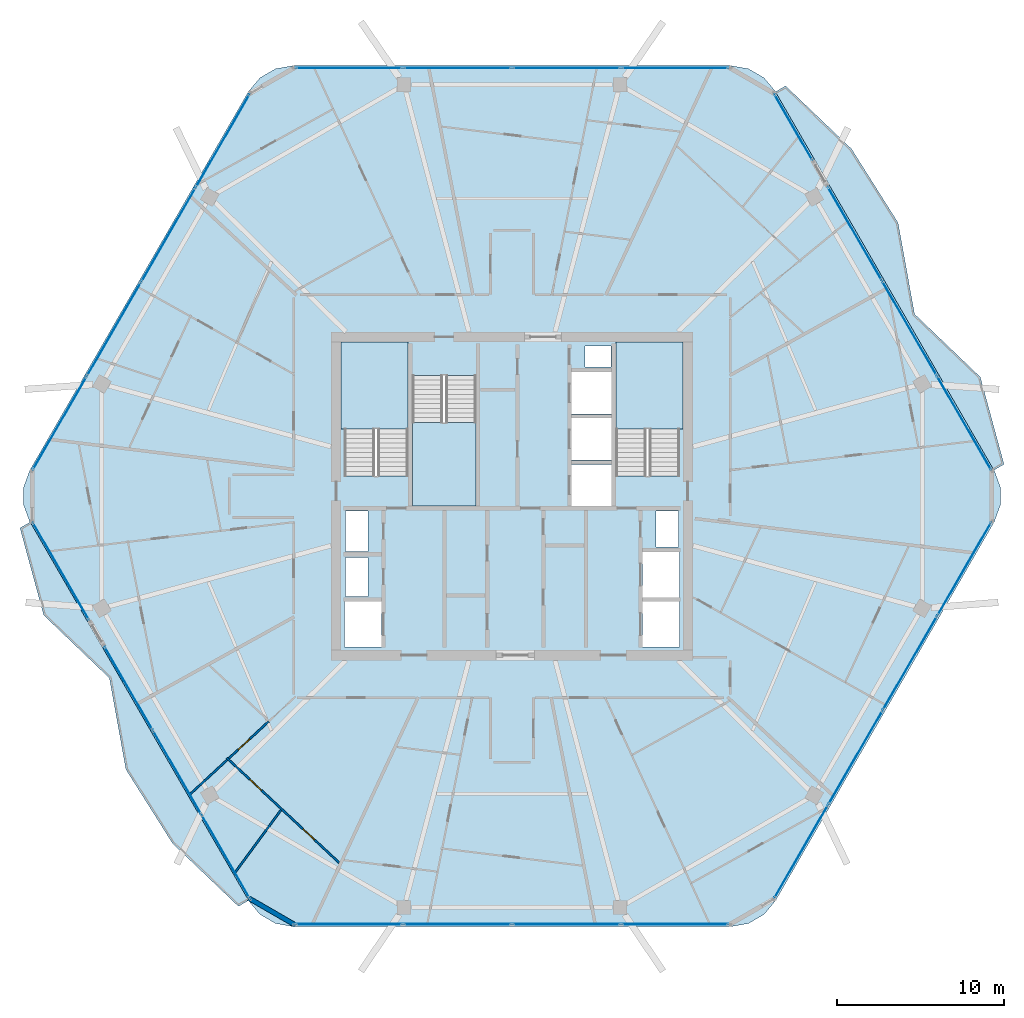
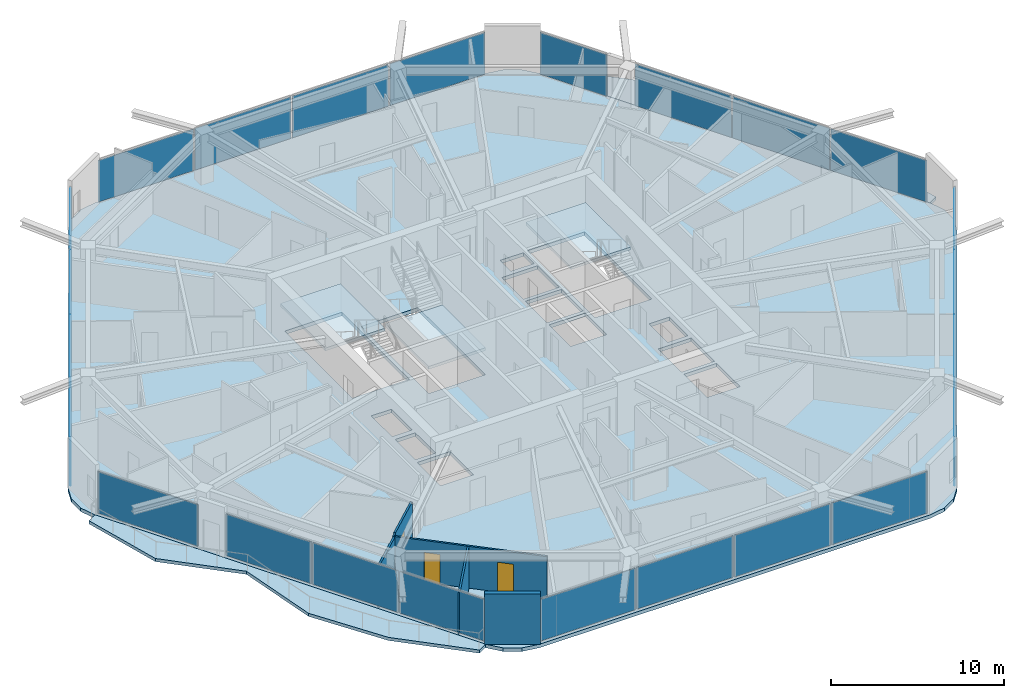
# One storey, part 17 of 26: 24 plates, 6 slabs, 5 walls, 3 doors, 3 openings, 11 elements without a shape of their own.
"""IFC4 building model written with IfcOpenShell, lengths in metres."""

from ifc_helpers import new_model, si_unit, direction, frame, frame_2d, origin, origin_2d, place, context, subcontext, project, spatial, polyline, rectangle, outline, extrude, material, layer, layer_set, type_object, element, fill, aggregate, save


model = new_model("IFC4")

# Units and contexts
model_context = context("Model", 3, precision=1e-05, world=origin(), true_north=direction((0.0, 1.0)))
body_context = subcontext(model_context, "Body", "Model", "MODEL_VIEW")
ifc_project = project(units=[si_unit("LENGTHUNIT", "METRE"), si_unit("AREAUNIT", "SQUARE_METRE"), si_unit("VOLUMEUNIT", "CUBIC_METRE"), si_unit("PLANEANGLEUNIT", "RADIAN"), si_unit("MASSUNIT", "GRAM", prefix="KILO")], contexts=[model_context])

# Site, building, storey
site_placement = place(None, origin())
site = spatial("IfcSite", under=ifc_project, at=site_placement, CompositionType="ELEMENT")
building_placement = place(site_placement, origin())
building = spatial("IfcBuilding", under=site, at=building_placement, Name="Zuhravey Tower", CompositionType="ELEMENT")
storey_placement = place(building_placement, frame((0.0, 0.0, 273.0)))
storey = spatial("IfcBuildingStorey", under=building, at=storey_placement, Name="L69", CompositionType="ELEMENT", Elevation=273.0)

# Slabs
ifc_material_1 = material(Name="Concrete C50/60", Category="concrete")
ifc_layer_1 = layer(ifc_material_1, 0.25)
ifc_layer_set_1 = layer_set([ifc_layer_1], Name="Concrete C50/60")
slab_type_1 = type_object("IfcSlabType", Name="Residential Acoustic Slab 250", PredefinedType="FLOOR", material=ifc_layer_set_1)
slab_1_placement = place(storey_placement, frame((0.0, 0.0, -0.25)))
element("IfcSlab", 1, at=slab_1_placement, inside=storey, type_object=slab_type_1, Name="L69 Floor Slab FS25", PredefinedType="FLOOR", context=body_context, shape_type="SweptSolid", body=[
    extrude(outline(polyline([(64.78515625, 30.449951171875), (65.1533203125, 31.461669921875), (65.1533203125, 32.538330078125), (64.78515625, 33.550048828125), (51.73486328125, 56.153564453125), (51.04296875, 56.978515625), (50.110595703125, 57.5166015625), (49.05029296875, 57.70361328125), (22.94970703125, 57.70361328125), (21.889404296875, 57.5166015625), (20.95703125, 56.978515625), (20.26513671875, 56.153564453125), (7.21484375, 33.550048828125), (6.8466796875, 32.538330078125), (6.8466796875, 31.461669921875), (7.21484375, 30.449951171875), (20.26513671875, 7.846435546875), (20.95703125, 7.021484375), (21.889404296875, 6.4833984375), (22.94970703125, 6.29638671875), (49.05029296875, 6.29638671875), (50.110595703125, 6.4833984375), (51.04296875, 7.021484375), (51.73486328125, 7.846435546875), (64.78515625, 30.449951171875)]), holes=[polyline([(29.800048828125, 33.20068359375), (29.800048828125, 41.0), (26.0, 41.0), (26.0, 33.20068359375), (29.800048828125, 33.20068359375)]), polyline([(46.0, 33.20068359375), (46.0, 41.0), (42.199951171875, 41.0), (42.199951171875, 33.20068359375), (46.0, 33.20068359375)]), polyline([(30.050048828125, 39.199462890625), (30.050048828125, 31.39990234375), (33.85009765625, 31.39990234375), (33.85009765625, 39.199462890625), (30.050048828125, 39.199462890625)]), polyline([(39.550048828125, 31.39990234375), (41.949951171875, 31.39990234375), (41.949951171875, 33.89990234375), (39.550048828125, 33.89990234375), (39.550048828125, 31.39990234375)]), polyline([(39.550048828125, 34.14990234375), (41.949951171875, 34.14990234375), (41.949951171875, 36.64990234375), (39.550048828125, 36.64990234375), (39.550048828125, 34.14990234375)]), polyline([(39.550048828125, 36.89990234375), (41.949951171875, 36.89990234375), (41.949951171875, 39.39990234375), (39.550048828125, 39.39990234375), (39.550048828125, 36.89990234375)]), polyline([(26.0, 23.0), (28.199951171875, 23.0), (28.199951171875, 25.699951171875), (26.0, 25.699951171875), (26.0, 23.0)]), polyline([(43.800048828125, 23.0), (46.0, 23.0), (46.0, 25.699951171875), (43.800048828125, 25.699951171875), (43.800048828125, 23.0)]), polyline([(43.800048828125, 25.949951171875), (46.0, 25.949951171875), (46.0, 28.64990234375), (43.800048828125, 28.64990234375), (43.800048828125, 25.949951171875)]), polyline([(26.050048828125, 26.0), (27.39990234375, 26.0), (27.39990234375, 28.35009765625), (26.050048828125, 28.35009765625), (26.050048828125, 26.0)]), polyline([(26.050048828125, 28.699951171875), (27.39990234375, 28.699951171875), (27.39990234375, 31.10009765625), (26.050048828125, 31.10009765625), (26.050048828125, 28.699951171875)]), polyline([(44.60009765625, 28.949951171875), (45.949951171875, 28.949951171875), (45.949951171875, 31.10009765625), (44.60009765625, 31.10009765625), (44.60009765625, 28.949951171875)]), polyline([(40.35009765625, 39.699951171875), (41.89990234375, 39.699951171875), (41.89990234375, 40.949951171875), (40.35009765625, 40.949951171875), (40.35009765625, 39.699951171875)])]), origin(), (0.0, 0.0, 1.0), 0.25),
])
ifc_material_2 = material(Name="Concrete C40/50", Category="concrete")
ifc_layer_2 = layer(ifc_material_2, 0.219970703125)
ifc_layer_set_2 = layer_set([ifc_layer_2], Name="Concrete C40/50")
slab_type_2 = type_object("IfcSlabType", Name="Sinusoidal Residential Wave Balcony 220", PredefinedType="FLOOR", material=ifc_layer_set_2)
slab_2_placement = place(storey_placement, frame((0.0, 0.0, -0.219970703125)))
element("IfcSlab", 2, at=slab_2_placement, inside=storey, type_object=slab_type_2, Name="L69 Face 4 Wave Balcony WB22", PredefinedType="FLOOR", context=body_context, shape_type="SweptSolid", body=[
    extrude(outline(polyline([(7.232177734375, 30.449951171875), (20.273681640625, 7.861328125), (19.66748046875, 7.511474609375), (15.73583984375, 11.26513671875), (12.950927734375, 15.680908203125), (11.96630859375, 21.135986328125), (8.04150390625, 24.8935546875), (6.6259765625, 30.10009765625), (7.232177734375, 30.449951171875)])), origin(), (0.0, 0.0, 1.0), 0.219970703125),
])
slab_3_placement = place(storey_placement, frame((0.0, 0.0, -0.219970703125)))
element("IfcSlab", 3, at=slab_3_placement, inside=storey, type_object=slab_type_2, Name="L69 Face 1 Wave Balcony WB22", PredefinedType="FLOOR", context=body_context, shape_type="SweptSolid", body=[
    extrude(outline(polyline([(64.767822265625, 33.550048828125), (51.726318359375, 56.138671875), (52.33251953125, 56.488525390625), (56.26416015625, 52.73486328125), (59.049072265625, 48.319091796875), (60.03369140625, 42.864013671875), (63.95849609375, 39.1064453125), (65.3740234375, 33.89990234375), (64.767822265625, 33.550048828125)])), origin(), (0.0, 0.0, 1.0), 0.219970703125),
])

# Stair, slab
stair_type = type_object("IfcStairType", Name="Housing Storey Stair Assembly 3800", PredefinedType="HALF_TURN_STAIR", material=ifc_material_2)
stair_1_placement = place(storey_placement, origin())
stair_1 = element("IfcStair", 4, at=stair_1_placement, inside=storey, type_object=stair_type, Name="L69 Core Exit Stair ST1", PredefinedType="HALF_TURN_STAIR")
ifc_layer_3 = layer(ifc_material_2, 0.199951171875)
ifc_layer_set_3 = layer_set([ifc_layer_3], Name="Concrete C40/50")
slab_type_3 = type_object("IfcSlabType", Name="Stair Landing Slab 200", PredefinedType="LANDING", material=ifc_layer_set_3)
slab_4_placement = place(storey_placement, frame((0.0, 0.0, 1.699951171875)))
slab_4 = element("IfcSlab", 5, at=slab_4_placement, type_object=slab_type_3, Name="ST1 landing 1", PredefinedType="LANDING", context=body_context, shape_type="SweptSolid", body=[
    extrude(outline(polyline([(29.800048828125, 36.0), (29.800048828125, 41.197998046875), (25.802001953125, 41.197998046875), (25.802001953125, 36.0), (29.800048828125, 36.0)])), origin(), (0.0, 0.0, 1.0), 0.199951171875),
])
aggregate(stair_1, [slab_4])

stair_2_placement = place(storey_placement, origin())
stair_2 = element("IfcStair", 6, at=stair_2_placement, inside=storey, type_object=stair_type, Name="L69 Core Exit Stair ST2", PredefinedType="HALF_TURN_STAIR")
slab_5_placement = place(storey_placement, frame((0.0, 0.0, 1.699951171875)))
slab_5 = element("IfcSlab", 7, at=slab_5_placement, type_object=slab_type_3, Name="ST2 landing 1", PredefinedType="LANDING", context=body_context, shape_type="SweptSolid", body=[
    extrude(outline(polyline([(46.197998046875, 36.0), (46.197998046875, 41.197998046875), (42.199951171875, 41.197998046875), (42.199951171875, 36.0), (46.197998046875, 36.0)])), origin(), (0.0, 0.0, 1.0), 0.199951171875),
])
aggregate(stair_2, [slab_5])

stair_3_placement = place(storey_placement, origin())
stair_3 = element("IfcStair", 8, at=stair_3_placement, inside=storey, type_object=stair_type, Name="L69 Core Exit Stair ST3", PredefinedType="HALF_TURN_STAIR")
slab_6_placement = place(storey_placement, frame((0.0, 0.0, 1.699951171875)))
slab_6 = element("IfcSlab", 9, at=slab_6_placement, type_object=slab_type_3, Name="ST3 landing 1", PredefinedType="LANDING", context=body_context, shape_type="SweptSolid", body=[
    extrude(outline(polyline([(30.050048828125, 36.39990234375), (30.050048828125, 31.39990234375), (33.85009765625, 31.39990234375), (33.85009765625, 36.39990234375), (30.050048828125, 36.39990234375)])), origin(), (0.0, 0.0, 1.0), 0.199951171875),
])
aggregate(stair_3, [slab_6])

# Curtain wall, plates
ifc_material_3 = material(Name="Thermally broken anodised aluminium", Category="aluminium")
curtain_wall_type = type_object("IfcCurtainWallType", Name="Zone 3-4 High-Rise Curtain Wall CW4", PredefinedType="NOTDEFINED", material=ifc_material_3)
curtain_wall_1_placement = place(storey_placement, origin())
curtain_wall_1 = element("IfcCurtainWall", 10, at=curtain_wall_1_placement, inside=storey, type_object=curtain_wall_type, Name="L69 CW4 CW-L69-F6-1", PredefinedType="NOTDEFINED")
ifc_material_4 = material(Name="Triple low-E insulated vision glass", Category="glass")
ifc_layer_4 = layer(ifc_material_4, 0.0419921875)
ifc_layer_set_4 = layer_set([ifc_layer_4], Name="Triple low-E insulated vision glass")
plate_type = type_object("IfcPlateType", Name="Triple Low-E Vision Panel", PredefinedType="CURTAIN_PANEL", material=ifc_layer_set_4)
plate_1_placement = place(storey_placement, frame((63.00732421875, 27.650634765625, 0.090087890625), z_axis=(0.0, 0.0, 1.0), x_axis=(-0.500000957414, -0.866024851021, 0.0)))
plate_1 = element("IfcPlate", 11, at=plate_1_placement, type_object=plate_type, Name="CW4 panel 1.1", PredefinedType="CURTAIN_PANEL", context=body_context, shape_type="SweptSolid", body=[
    extrude(rectangle(XDim=6.371337890625, YDim=0.0419921875, at=origin_2d()), origin(), (0.0, 0.0, 1.0), 2.94189453125),
])
plate_2_placement = place(storey_placement, frame((59.765380859375, 22.03564453125, 0.090087890625), z_axis=(0.0, 0.0, 1.0), x_axis=(-0.500000957414, -0.866024851021, 0.0)))
plate_2 = element("IfcPlate", 12, at=plate_2_placement, type_object=plate_type, Name="CW4 panel 2.1", PredefinedType="CURTAIN_PANEL", context=body_context, shape_type="SweptSolid", body=[
    extrude(rectangle(XDim=6.416259765625, YDim=0.0419921875, at=origin_2d()), origin(), (0.0, 0.0, 1.0), 2.94189453125),
])
plate_3_placement = place(storey_placement, frame((56.51220703125, 16.40087890625, 0.090087890625), z_axis=(0.0, 0.0, 1.0), x_axis=(-0.500000957414, -0.866024851021, 0.0)))
plate_3 = element("IfcPlate", 13, at=plate_3_placement, type_object=plate_type, Name="CW4 panel 3.1", PredefinedType="CURTAIN_PANEL", context=body_context, shape_type="SweptSolid", body=[
    extrude(rectangle(XDim=6.416259765625, YDim=0.0419921875, at=origin_2d()), origin(), (0.0, 0.0, 1.0), 2.94189453125),
])
plate_4_placement = place(storey_placement, frame((53.270263671875, 10.78564453125, 0.090087890625), z_axis=(0.0, 0.0, 1.0), x_axis=(-0.500000957414, -0.866024851021, 0.0)))
plate_4 = element("IfcPlate", 14, at=plate_4_placement, type_object=plate_type, Name="CW4 panel 4.1", PredefinedType="CURTAIN_PANEL", context=body_context, shape_type="SweptSolid", body=[
    extrude(rectangle(XDim=6.371337890625, YDim=0.0419921875, at=origin_2d()), origin(), (0.0, 0.0, 1.0), 2.94189453125),
])
aggregate(curtain_wall_1, [plate_1, plate_2, plate_3, plate_4])

curtain_wall_2_placement = place(storey_placement, origin())
curtain_wall_2 = element("IfcCurtainWall", 15, at=curtain_wall_2_placement, inside=storey, type_object=curtain_wall_type, Name="L69 CW4 CW-L69-F5-1", PredefinedType="NOTDEFINED")
plate_5_placement = place(storey_placement, frame((45.737060546875, 6.436279296875, 0.090087890625), z_axis=(0.0, 0.0, 1.0), x_axis=(-1.0, 0.0, 0.0)))
plate_5 = element("IfcPlate", 16, at=plate_5_placement, type_object=plate_type, Name="CW4 panel 1.1", PredefinedType="CURTAIN_PANEL", context=body_context, shape_type="SweptSolid", body=[
    extrude(rectangle(XDim=6.371337890625, YDim=0.0419921875, at=origin_2d()), origin(), (0.0, 0.0, 1.0), 2.94189453125),
])
plate_6_placement = place(storey_placement, frame((39.253173828125, 6.436279296875, 0.090087890625), z_axis=(0.0, 0.0, 1.0), x_axis=(-1.0, 0.0, 0.0)))
plate_6 = element("IfcPlate", 17, at=plate_6_placement, type_object=plate_type, Name="CW4 panel 2.1", PredefinedType="CURTAIN_PANEL", context=body_context, shape_type="SweptSolid", body=[
    extrude(rectangle(XDim=6.416259765625, YDim=0.0419921875, at=origin_2d()), origin(), (0.0, 0.0, 1.0), 2.94189453125),
])
plate_7_placement = place(storey_placement, frame((32.746826171875, 6.436279296875, 0.090087890625), z_axis=(0.0, 0.0, 1.0), x_axis=(-1.0, 0.0, 0.0)))
plate_7 = element("IfcPlate", 18, at=plate_7_placement, type_object=plate_type, Name="CW4 panel 3.1", PredefinedType="CURTAIN_PANEL", context=body_context, shape_type="SweptSolid", body=[
    extrude(rectangle(XDim=6.416259765625, YDim=0.0419921875, at=origin_2d()), origin(), (0.0, 0.0, 1.0), 2.94189453125),
])
plate_8_placement = place(storey_placement, frame((26.262939453125, 6.436279296875, 0.090087890625), z_axis=(0.0, 0.0, 1.0), x_axis=(-1.0, 0.0, 0.0)))
plate_8 = element("IfcPlate", 19, at=plate_8_placement, type_object=plate_type, Name="CW4 panel 4.1", PredefinedType="CURTAIN_PANEL", context=body_context, shape_type="SweptSolid", body=[
    extrude(rectangle(XDim=6.371337890625, YDim=0.0419921875, at=origin_2d()), origin(), (0.0, 0.0, 1.0), 2.94189453125),
])
aggregate(curtain_wall_2, [plate_5, plate_6, plate_7, plate_8])

curtain_wall_3_placement = place(storey_placement, origin())
curtain_wall_3 = element("IfcCurtainWall", 20, at=curtain_wall_3_placement, inside=storey, type_object=curtain_wall_type, Name="L69 CW4 CW-L69-F4-1", PredefinedType="NOTDEFINED")
plate_9_placement = place(storey_placement, frame((18.901611328125, 10.488037109375, 0.090087890625), z_axis=(0.0, 0.0, 1.0), x_axis=(-0.500002616237, 0.866023893294, 0.0)))
plate_9 = element("IfcPlate", 21, at=plate_9_placement, type_object=plate_type, Name="CW4 panel 1.1", PredefinedType="CURTAIN_PANEL", context=body_context, shape_type="SweptSolid", body=[
    extrude(rectangle(XDim=5.68408203125, YDim=0.0419921875, at=origin_2d()), origin(), (0.0, 0.0, 1.0), 2.94189453125),
])
plate_10_placement = place(storey_placement, frame((16.00341796875, 15.508056640625, 0.090087890625), z_axis=(0.0, 0.0, 1.0), x_axis=(-0.500002616237, 0.866023893294, 0.0)))
plate_10 = element("IfcPlate", 22, at=plate_10_placement, type_object=plate_type, Name="CW4 panel 2.1", PredefinedType="CURTAIN_PANEL", context=body_context, shape_type="SweptSolid", body=[
    extrude(rectangle(XDim=5.72900390625, YDim=0.0419921875, at=origin_2d()), origin(), (0.0, 0.0, 1.0), 2.94189453125),
])
plate_11_placement = place(storey_placement, frame((13.10498046875, 20.52783203125, 0.090087890625), z_axis=(0.0, 0.0, 1.0), x_axis=(-0.500002616237, 0.866023893294, 0.0)))
plate_11 = element("IfcPlate", 23, at=plate_11_placement, type_object=plate_type, Name="CW4 panel 3.1", PredefinedType="CURTAIN_PANEL", context=body_context, shape_type="SweptSolid", body=[
    extrude(rectangle(XDim=5.68408203125, YDim=0.0419921875, at=origin_2d()), origin(), (0.0, 0.0, 1.0), 2.94189453125),
])
aggregate(curtain_wall_3, [plate_9, plate_10, plate_11])

# Curtain wall, plate
curtain_wall_4_placement = place(storey_placement, origin())
curtain_wall_4 = element("IfcCurtainWall", 24, at=curtain_wall_4_placement, inside=storey, type_object=curtain_wall_type, Name="L69 CW4 CW-L69-F4-2", PredefinedType="NOTDEFINED")
plate_12_placement = place(storey_placement, frame((9.072021484375, 27.513427734375, 0.090087890625), z_axis=(0.0, 0.0, 1.0), x_axis=(-0.500000560041, 0.866025080445, 0.0)))
plate_12 = element("IfcPlate", 25, at=plate_12_placement, type_object=plate_type, Name="CW4 panel 1.1", PredefinedType="CURTAIN_PANEL", context=body_context, shape_type="SweptSolid", body=[
    extrude(rectangle(XDim=6.6884765625, YDim=0.0419921875, at=origin_2d()), origin(), (0.0, 0.0, 1.0), 2.94189453125),
])
aggregate(curtain_wall_4, [plate_12])

# Curtain wall, plates
curtain_wall_5_placement = place(storey_placement, origin())
curtain_wall_5 = element("IfcCurtainWall", 26, at=curtain_wall_5_placement, inside=storey, type_object=curtain_wall_type, Name="L69 CW4 CW-L69-F3-1", PredefinedType="NOTDEFINED")
plate_13_placement = place(storey_placement, frame((8.99267578125, 36.349365234375, 0.090087890625), z_axis=(0.0, 0.0, 1.0), x_axis=(0.500000957414, 0.866024851021, 0.0)))
plate_13 = element("IfcPlate", 27, at=plate_13_placement, type_object=plate_type, Name="CW4 panel 1.1", PredefinedType="CURTAIN_PANEL", context=body_context, shape_type="SweptSolid", body=[
    extrude(rectangle(XDim=6.371337890625, YDim=0.0419921875, at=origin_2d()), origin(), (0.0, 0.0, 1.0), 2.94189453125),
])
plate_14_placement = place(storey_placement, frame((12.234619140625, 41.96435546875, 0.090087890625), z_axis=(0.0, 0.0, 1.0), x_axis=(0.500000957414, 0.866024851021, 0.0)))
plate_14 = element("IfcPlate", 28, at=plate_14_placement, type_object=plate_type, Name="CW4 panel 2.1", PredefinedType="CURTAIN_PANEL", context=body_context, shape_type="SweptSolid", body=[
    extrude(rectangle(XDim=6.416259765625, YDim=0.0419921875, at=origin_2d()), origin(), (0.0, 0.0, 1.0), 2.94189453125),
])
plate_15_placement = place(storey_placement, frame((15.48779296875, 47.59912109375, 0.090087890625), z_axis=(0.0, 0.0, 1.0), x_axis=(0.500000957414, 0.866024851021, 0.0)))
plate_15 = element("IfcPlate", 29, at=plate_15_placement, type_object=plate_type, Name="CW4 panel 3.1", PredefinedType="CURTAIN_PANEL", context=body_context, shape_type="SweptSolid", body=[
    extrude(rectangle(XDim=6.416259765625, YDim=0.0419921875, at=origin_2d()), origin(), (0.0, 0.0, 1.0), 2.94189453125),
])
plate_16_placement = place(storey_placement, frame((18.729736328125, 53.21435546875, 0.090087890625), z_axis=(0.0, 0.0, 1.0), x_axis=(0.500000957414, 0.866024851021, 0.0)))
plate_16 = element("IfcPlate", 30, at=plate_16_placement, type_object=plate_type, Name="CW4 panel 4.1", PredefinedType="CURTAIN_PANEL", context=body_context, shape_type="SweptSolid", body=[
    extrude(rectangle(XDim=6.371337890625, YDim=0.0419921875, at=origin_2d()), origin(), (0.0, 0.0, 1.0), 2.94189453125),
])
aggregate(curtain_wall_5, [plate_13, plate_14, plate_15, plate_16])

curtain_wall_6_placement = place(storey_placement, origin())
curtain_wall_6 = element("IfcCurtainWall", 31, at=curtain_wall_6_placement, inside=storey, type_object=curtain_wall_type, Name="L69 CW4 CW-L69-F2-1", PredefinedType="NOTDEFINED")
plate_17_placement = place(storey_placement, frame((26.262939453125, 57.563720703125, 0.090087890625), z_axis=(0.0, 0.0, 1.0), x_axis=(1.0, 0.0, 0.0)))
plate_17 = element("IfcPlate", 32, at=plate_17_placement, type_object=plate_type, Name="CW4 panel 1.1", PredefinedType="CURTAIN_PANEL", context=body_context, shape_type="SweptSolid", body=[
    extrude(rectangle(XDim=6.371337890625, YDim=0.0419921875, at=origin_2d()), origin(), (0.0, 0.0, 1.0), 2.94189453125),
])
plate_18_placement = place(storey_placement, frame((32.746826171875, 57.563720703125, 0.090087890625), z_axis=(0.0, 0.0, 1.0), x_axis=(1.0, 0.0, 0.0)))
plate_18 = element("IfcPlate", 33, at=plate_18_placement, type_object=plate_type, Name="CW4 panel 2.1", PredefinedType="CURTAIN_PANEL", context=body_context, shape_type="SweptSolid", body=[
    extrude(rectangle(XDim=6.416259765625, YDim=0.0419921875, at=origin_2d()), origin(), (0.0, 0.0, 1.0), 2.94189453125),
])
plate_19_placement = place(storey_placement, frame((39.253173828125, 57.563720703125, 0.090087890625), z_axis=(0.0, 0.0, 1.0), x_axis=(1.0, 0.0, 0.0)))
plate_19 = element("IfcPlate", 34, at=plate_19_placement, type_object=plate_type, Name="CW4 panel 3.1", PredefinedType="CURTAIN_PANEL", context=body_context, shape_type="SweptSolid", body=[
    extrude(rectangle(XDim=6.416259765625, YDim=0.0419921875, at=origin_2d()), origin(), (0.0, 0.0, 1.0), 2.94189453125),
])
plate_20_placement = place(storey_placement, frame((45.737060546875, 57.563720703125, 0.090087890625), z_axis=(0.0, 0.0, 1.0), x_axis=(1.0, 0.0, 0.0)))
plate_20 = element("IfcPlate", 35, at=plate_20_placement, type_object=plate_type, Name="CW4 panel 4.1", PredefinedType="CURTAIN_PANEL", context=body_context, shape_type="SweptSolid", body=[
    extrude(rectangle(XDim=6.371337890625, YDim=0.0419921875, at=origin_2d()), origin(), (0.0, 0.0, 1.0), 2.94189453125),
])
aggregate(curtain_wall_6, [plate_17, plate_18, plate_19, plate_20])

# Curtain wall, plate
curtain_wall_7_placement = place(storey_placement, origin())
curtain_wall_7 = element("IfcCurtainWall", 36, at=curtain_wall_7_placement, inside=storey, type_object=curtain_wall_type, Name="L69 CW4 CW-L69-F1-1", PredefinedType="NOTDEFINED")
plate_21_placement = place(storey_placement, frame((52.80029296875, 54.0283203125, 0.090087890625), z_axis=(0.0, 0.0, 1.0), x_axis=(0.500011519456, -0.866018752921, 0.0)))
plate_21 = element("IfcPlate", 37, at=plate_21_placement, type_object=plate_type, Name="CW4 panel 1.1", PredefinedType="CURTAIN_PANEL", context=body_context, shape_type="SweptSolid", body=[
    extrude(rectangle(XDim=4.491455078125, YDim=0.0419921875, at=origin_2d()), origin(), (0.0, 0.0, 1.0), 2.94189453125),
])
aggregate(curtain_wall_7, [plate_21])

# Curtain wall, plates
curtain_wall_8_placement = place(storey_placement, origin())
curtain_wall_8 = element("IfcCurtainWall", 38, at=curtain_wall_8_placement, inside=storey, type_object=curtain_wall_type, Name="L69 CW4 CW-L69-F1-2", PredefinedType="NOTDEFINED")
plate_22_placement = place(storey_placement, frame((56.46728515625, 47.677001953125, 0.090087890625), z_axis=(0.0, 0.0, 1.0), x_axis=(0.499999781467, -0.866025529954, 0.0)))
plate_22 = element("IfcPlate", 39, at=plate_22_placement, type_object=plate_type, Name="CW4 panel 1.1", PredefinedType="CURTAIN_PANEL", context=body_context, shape_type="SweptSolid", body=[
    extrude(rectangle(XDim=6.416259765625, YDim=0.0419921875, at=origin_2d()), origin(), (0.0, 0.0, 1.0), 2.94189453125),
])
plate_23_placement = place(storey_placement, frame((59.731689453125, 42.02294921875, 0.090087890625), z_axis=(0.0, 0.0, 1.0), x_axis=(0.499999781467, -0.866025529954, 0.0)))
plate_23 = element("IfcPlate", 40, at=plate_23_placement, type_object=plate_type, Name="CW4 panel 2.1", PredefinedType="CURTAIN_PANEL", context=body_context, shape_type="SweptSolid", body=[
    extrude(rectangle(XDim=6.461181640625, YDim=0.0419921875, at=origin_2d()), origin(), (0.0, 0.0, 1.0), 2.94189453125),
])
plate_24_placement = place(storey_placement, frame((62.99609375, 36.36865234375, 0.090087890625), z_axis=(0.0, 0.0, 1.0), x_axis=(0.499999781467, -0.866025529954, 0.0)))
plate_24 = element("IfcPlate", 41, at=plate_24_placement, type_object=plate_type, Name="CW4 panel 3.1", PredefinedType="CURTAIN_PANEL", context=body_context, shape_type="SweptSolid", body=[
    extrude(rectangle(XDim=6.416259765625, YDim=0.0419921875, at=origin_2d()), origin(), (0.0, 0.0, 1.0), 2.94189453125),
])
aggregate(curtain_wall_8, [plate_22, plate_23, plate_24])

# Wall
ifc_material_5 = material(Name="Precast concrete C40/50", Category="concrete")
ifc_layer_5 = layer(ifc_material_5, 0.280029296875)
ifc_layer_set_5 = layer_set([ifc_layer_5], Name="Precast concrete C40/50")
wall_type_1 = type_object("IfcWallType", Name="Crown Architectural Wall 280", PredefinedType="SOLIDWALL", material=ifc_layer_set_5)
wall_1_placement = place(storey_placement, frame((23.069580078125, 6.388916015625, 0.0), z_axis=(0.0, 0.0, 1.0), x_axis=(-0.866028773314, 0.499994163758, 0.0)))
element("IfcWall", 42, at=wall_1_placement, inside=storey, type_object=wall_type_1, Name="L69 Rounded Corner Closure Wall EW28-04", PredefinedType="SOLIDWALL", context=body_context, shape_type="SweptSolid", body=[
    extrude(rectangle(XDim=3.21484375, YDim=0.280029296875, at=frame_2d((1.607421875, 0.0))), origin(), (0.0, 0.0, 1.0), 3.550048828125),
])

# Wall, openings, doors
ifc_material_6 = material(Name="Gypsum metal-stud partition")
ifc_layer_6 = layer(ifc_material_6, 0.1201171875)
ifc_layer_set_6 = layer_set([ifc_layer_6], Name="Gypsum metal-stud partition")
wall_type_2 = type_object("IfcWallType", Name="Unit Internal Partition 120", PredefinedType="PARTITIONING", material=ifc_layer_set_6)
wall_2_placement = place(storey_placement, frame((18.97216796875, 16.368408203125, 0.0), z_axis=(0.0, 0.0, 1.0), x_axis=(0.731359968951, -0.68199163911, 0.0)))
wall_2 = element("IfcWall", 43, at=wall_2_placement, inside=storey, type_object=wall_type_2, Name="L69 IW12 Partition 032", PredefinedType="PARTITIONING", context=body_context, shape_type="SweptSolid", body=[
    extrude(rectangle(XDim=9.16357421875, YDim=0.1201171875, at=frame_2d((4.581787109375, 0.0))), origin(), (0.0, 0.0, 1.0), 2.949951171875),
])
opening_1_placement = place(wall_2_placement, frame((1.885498046875, 0.0, 0.0)))
opening_1 = element("IfcOpeningElement", 44, at=opening_1_placement, cuts=wall_2, Name="Opening IND1", PredefinedType="OPENING", context=body_context, shape_type="SweptSolid", body=[
    extrude(rectangle(XDim=0.949951171875, YDim=2.10009765625, at=frame_2d((0.47509765625, 1.050048828125))), frame((0.0, 0.072021484375, 0.0), z_axis=(0.0, -1.0, 0.0), x_axis=(1.0, 0.0, 0.0)), (0.0, 0.0, 1.0), 0.14404296875),
])
opening_2_placement = place(wall_2_placement, frame((6.2265625, 0.0, 0.0)))
opening_2 = element("IfcOpeningElement", 45, at=opening_2_placement, cuts=wall_2, Name="Opening IND1", PredefinedType="OPENING", context=body_context, shape_type="SweptSolid", body=[
    extrude(rectangle(XDim=0.949951171875, YDim=2.10009765625, at=frame_2d((0.47509765625, 1.050048828125))), frame((0.0, 0.072021484375, 0.0), z_axis=(0.0, -1.0, 0.0), x_axis=(1.0, 0.0, 0.0)), (0.0, 0.0, 1.0), 0.14404296875),
])
ifc_material_7 = material(Name="Painted engineered timber leaf", Category="wood")
door_type = type_object("IfcDoorType", Name="Internal Room & Bedroom Door 950x2100", OperationType="NOTDEFINED", PredefinedType="DOOR", material=ifc_material_7)
door_1_placement = place(opening_1_placement, frame((0.949951171875, 0.0, 0.0), z_axis=(0.0, 0.0, 1.0), x_axis=(-1.0, 0.0, 0.0)))
door_1 = element("IfcDoor", 46, at=door_1_placement, inside=storey, type_object=door_type, Name="Apartment L69-03 Family Study Door", OperationType="SINGLE_SWING_RIGHT", OverallHeight=2.10009765625, OverallWidth=0.949951171875, PredefinedType="DOOR", context=body_context, shape_type="SweptSolid", body=[
    extrude(rectangle(XDim=0.949951171875, YDim=2.10009765625, at=frame_2d((0.47509765625, 1.050048828125))), frame((0.0, 0.02490234375, 0.0), z_axis=(0.0, -1.0, 0.0), x_axis=(1.0, 0.0, 0.0)), (0.0, 0.0, 1.0), 0.050048828125),
])
fill(opening_1, door_1)
door_2_placement = place(opening_2_placement, frame((0.949951171875, 0.0, 0.0), z_axis=(0.0, 0.0, 1.0), x_axis=(-1.0, 0.0, 0.0)))
door_2 = element("IfcDoor", 47, at=door_2_placement, inside=storey, type_object=door_type, Name="Apartment L69-03 Dining Room Door", OperationType="SINGLE_SWING_LEFT", OverallHeight=2.10009765625, OverallWidth=0.949951171875, PredefinedType="DOOR", context=body_context, shape_type="SweptSolid", body=[
    extrude(rectangle(XDim=0.949951171875, YDim=2.10009765625, at=frame_2d((0.47509765625, 1.050048828125))), frame((0.0, 0.02490234375, 0.0), z_axis=(0.0, -1.0, 0.0), x_axis=(1.0, 0.0, 0.0)), (0.0, 0.0, 1.0), 0.050048828125),
])
fill(opening_2, door_2)

# Wall, opening, door
wall_3_placement = place(storey_placement, frame((21.476806640625, 18.551513671875, 0.0), z_axis=(0.0, 0.0, 1.0), x_axis=(-0.733668997341, -0.679507028912, 0.0)))
wall_3 = element("IfcWall", 48, at=wall_3_placement, inside=storey, type_object=wall_type_2, Name="L69 IW12 Partition 034", PredefinedType="PARTITIONING", context=body_context, shape_type="SweptSolid", body=[
    extrude(rectangle(XDim=3.245361328125, YDim=0.1201171875, at=frame_2d((1.62255859375, 0.0))), origin(), (0.0, 0.0, 1.0), 3.14990234375),
])
opening_3_placement = place(wall_3_placement, frame((1.54736328125, 0.0, 0.0)))
opening_3 = element("IfcOpeningElement", 49, at=opening_3_placement, cuts=wall_3, Name="Opening IND1", PredefinedType="OPENING", context=body_context, shape_type="SweptSolid", body=[
    extrude(rectangle(XDim=0.949951171875, YDim=2.10009765625, at=frame_2d((0.47509765625, 1.050048828125))), frame((0.0, 0.072021484375, 0.0), z_axis=(0.0, -1.0, 0.0), x_axis=(1.0, 0.0, 0.0)), (0.0, 0.0, 1.0), 0.14404296875),
])
door_3_placement = place(opening_3_placement, frame((0.949951171875, 0.0, 0.0), z_axis=(0.0, 0.0, 1.0), x_axis=(-1.0, 0.0, 0.0)))
door_3 = element("IfcDoor", 50, at=door_3_placement, inside=storey, type_object=door_type, Name="Apartment L69-03 Bedroom 1 Door", OperationType="SINGLE_SWING_LEFT", OverallHeight=2.10009765625, OverallWidth=0.949951171875, PredefinedType="DOOR", context=body_context, shape_type="SweptSolid", body=[
    extrude(rectangle(XDim=0.949951171875, YDim=2.10009765625, at=frame_2d((0.47509765625, 1.050048828125))), frame((0.0, 0.02490234375, 0.0), z_axis=(0.0, -1.0, 0.0), x_axis=(1.0, 0.0, 0.0)), (0.0, 0.0, 1.0), 0.050048828125),
])
fill(opening_3, door_3)

# Walls
wall_4_placement = place(storey_placement, frame((18.99560546875, 16.253662109375, 0.0), z_axis=(0.0, 0.0, 1.0), x_axis=(-0.733732538896, -0.679438416168, 0.0)))
element("IfcWall", 51, at=wall_4_placement, inside=storey, type_object=wall_type_2, Name="L69 IW12 Partition 035", PredefinedType="PARTITIONING", context=body_context, shape_type="SweptSolid", body=[
    extrude(rectangle(XDim=3.044189453125, YDim=0.1201171875, at=frame_2d((1.52197265625, 0.0))), origin(), (0.0, 0.0, 1.0), 2.929931640625),
])
wall_5_placement = place(storey_placement, frame((22.20751953125, 13.25830078125, 0.0), z_axis=(0.0, 0.0, 1.0), x_axis=(-0.592681807332, -0.80543669848, 0.0)))
element("IfcWall", 52, at=wall_5_placement, inside=storey, type_object=wall_type_2, Name="L69 IW12 Partition 083", PredefinedType="PARTITIONING", context=body_context, shape_type="SweptSolid", body=[
    extrude(rectangle(XDim=4.67041015625, YDim=0.1201171875, at=frame_2d((2.335205078125, 0.0))), origin(), (0.0, 0.0, 1.0), 2.929931640625),
])

save(model, "model.ifc")
